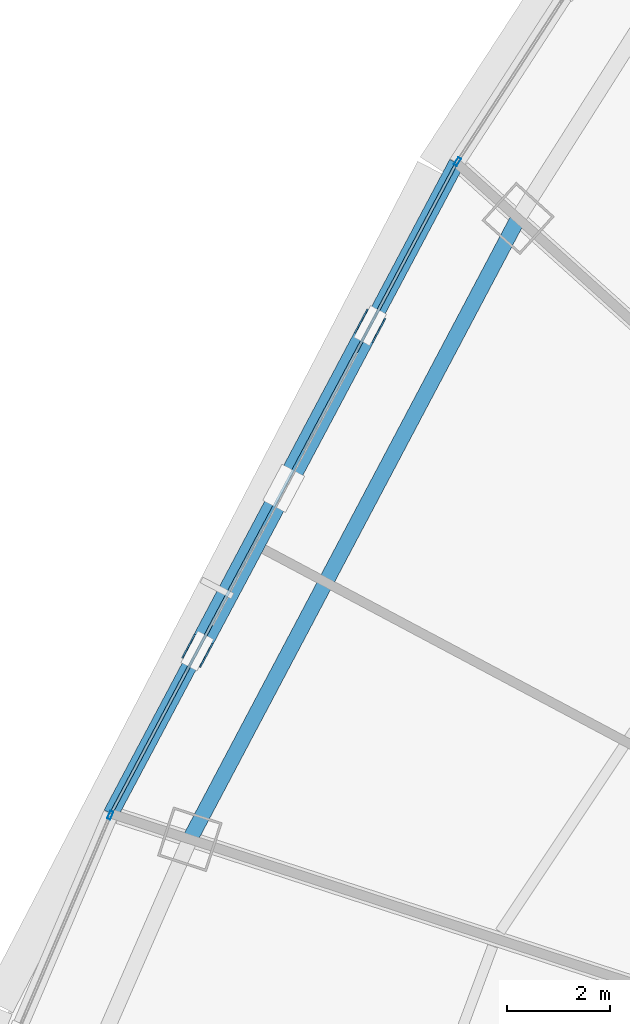
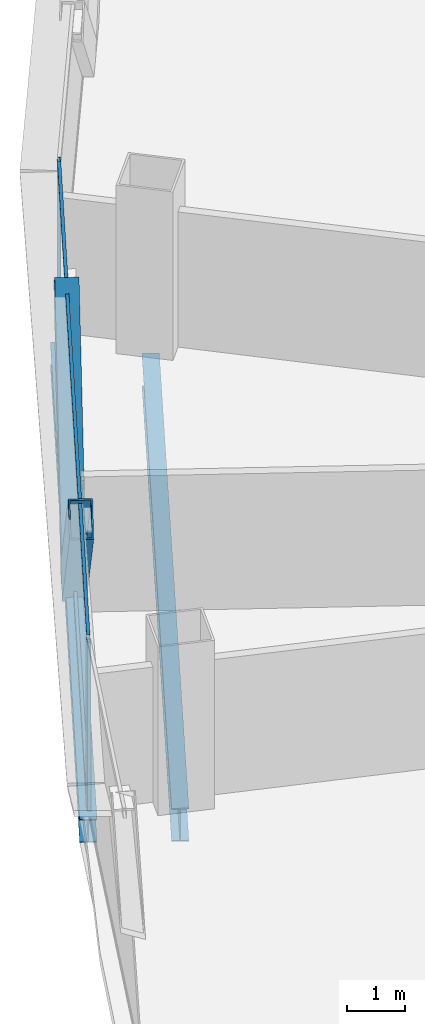
# One storey, part 14 of 36: 6 members, 2 beams, 3 elements without a shape of their own.
"""IFC4 building model written with IfcOpenShell, lengths in metres."""

from ifc_helpers import new_model, si_unit, direction, frame, origin, origin_2d, place, context, subcontext, project, spatial, hollow_rectangle, i_section, extrude, source, transform, mapped, material, layer, layer_set, material_profile, profile_set, type_object, element, aggregate, save


model = new_model("IFC4")

# Units and contexts
model_context = context("Model", 3, precision=1e-05, world=origin(), true_north=direction((0.0, 1.0)))
body_context = subcontext(model_context, "Body", "Model", "MODEL_VIEW")
ifc_project = project(units=[si_unit("LENGTHUNIT", "METRE"), si_unit("AREAUNIT", "SQUARE_METRE"), si_unit("VOLUMEUNIT", "CUBIC_METRE"), si_unit("PLANEANGLEUNIT", "RADIAN"), si_unit("MASSUNIT", "GRAM", prefix="KILO"), si_unit("THERMODYNAMICTEMPERATUREUNIT", "KELVIN"), si_unit("POWERUNIT", "WATT")], contexts=[model_context])

# Site, building, storey
site_placement = place(None, origin())
site = spatial("IfcSite", under=ifc_project, at=site_placement, CompositionType="ELEMENT")
building_placement = place(site_placement, origin())
building = spatial("IfcBuilding", under=site, at=building_placement, Name="Yunzhuo Pagoda Commons", CompositionType="ELEMENT")
storey_placement = place(building_placement, frame((0.0, 0.0, 103.97998046875)))
storey = spatial("IfcBuildingStorey", under=building, at=storey_placement, Name="L26", CompositionType="ELEMENT", Elevation=103.97998046875)

# Beams
ifc_material_1 = material(Name="Structural steel Q355B", Category="steel")
ifc_material_profile_1 = material_profile(ifc_material_1, i_section(OverallWidth=0.300048828125, OverallDepth=0.699951171875, WebThickness=0.012939453125, FlangeThickness=0.02392578125, at=origin_2d()), Name="Structural steel Q355B")
ifc_profile_set_1 = profile_set([ifc_material_profile_1], Name="Structural steel Q355B")
beam_type_1 = type_object("IfcBeamType", Name="B-RG1 Beam HN 700x300x13x24", PredefinedType="BEAM", material=ifc_profile_set_1)
shared_shape_1 = source(origin(), body_context, "Body", "SweptSolid", [
    extrude(i_section(OverallWidth=0.300048828125, OverallDepth=0.699951171875, WebThickness=0.012939453125, FlangeThickness=0.02392578125, at=origin_2d()), origin(), (0.0, 0.0, 1.0), 13.66748046875),
])
beam_1_placement = place(storey_placement, frame((23.397216796875, 55.852294921875, -0.60986328125), z_axis=(-0.467383716456, -0.88405455804, 0.0), x_axis=(0.88405455804, -0.467383716456, 0.0)))
element("IfcBeam", 1, at=beam_1_placement, inside=storey, type_object=beam_type_1, Name="L26 column-ring beam 10", PredefinedType="BEAM", context=body_context, shape_type="MappedRepresentation", body=[
    mapped(shared_shape_1, transform((0.0, 0.0, 0.0), scale=1.0)),
])
ifc_material_profile_2 = material_profile(ifc_material_1, i_section(OverallWidth=0.300048828125, OverallDepth=0.488037109375, WebThickness=0.010986328125, FlangeThickness=0.01806640625, at=origin_2d()), Name="Structural steel Q355B")
ifc_profile_set_2 = profile_set([ifc_material_profile_2], Name="Structural steel Q355B")
beam_type_2 = type_object("IfcBeamType", Name="B-SP1 Beam HM 488x300x11x18", PredefinedType="BEAM", material=ifc_profile_set_2)
shared_shape_2 = source(origin(), body_context, "Body", "SweptSolid", [
    extrude(i_section(OverallWidth=0.300048828125, OverallDepth=0.488037109375, WebThickness=0.010986328125, FlangeThickness=0.01806640625, at=origin_2d()), origin(), (0.0, 0.0, 1.0), 14.33837890625),
])
beam_2_placement = place(storey_placement, frame((22.198974609375, 56.931640625, -0.50390625), z_axis=(-0.469097542789, -0.883146361228, 0.0), x_axis=(0.883146361228, -0.469097542789, 0.0)))
element("IfcBeam", 2, at=beam_2_placement, inside=storey, type_object=beam_type_2, Name="L26 facade edge spandrel beam F3.2", PredefinedType="BEAM", context=body_context, shape_type="MappedRepresentation", body=[
    mapped(shared_shape_2, transform((0.0, 0.0, 0.0), scale=1.0)),
])

# Members
ifc_material_2 = material(Name="Structural steel Q420B", Category="steel")
ifc_material_profile_3 = material_profile(ifc_material_2, hollow_rectangle(XDim=0.419921875, YDim=0.719970703125, WallThickness=0.028076171875, at=origin_2d()), Name="Structural steel Q420B")
ifc_profile_set_3 = profile_set([ifc_material_profile_3], Name="Structural steel Q420B")
member_type_1 = type_object("IfcMemberType", Name="M-DL1 Brace BOX 720x420x28", PredefinedType="BRACE", material=ifc_profile_set_3)
shared_shape_3 = source(origin(), body_context, "Body", "SweptSolid", [
    extrude(hollow_rectangle(XDim=0.419921875, YDim=0.719970703125, WallThickness=0.028076171875, at=origin_2d()), origin(), (0.0, 0.0, 1.0), 5.22412109375),
])
for number, where, z_axis, x_axis, name in (
    (3, (18.835693359375, 50.60009765625, -0.260009765625), (0.321852576358, 0.605991339864, 0.727451314592), (-0.883164215531, 0.469063927845, 0.0), "L26 facade diamond brace F3.2L"),
    (4, (18.835693359375, 50.60009765625, -0.260009765625), (-0.321852576358, -0.605991339864, 0.727451314592), (0.883164215531, -0.469063927845, 0.0), "L26 facade diamond brace F3.2R"),
):
    element("IfcMember", number, at=place(storey_placement, frame(where, z_axis=z_axis, x_axis=x_axis)), inside=storey, type_object=member_type_1, Name=name, PredefinedType="BRACE", context=body_context, shape_type="MappedRepresentation", body=[
        mapped(shared_shape_3, transform((0.0, 0.0, 0.0), scale=1.0)),
    ])

# Curtain wall, member
ifc_material_3 = material(Name="Anodized aluminium 6063-T6", Category="aluminium")
ifc_layer = layer(ifc_material_3, 0.1650390625)
ifc_layer_set = layer_set([ifc_layer], Name="Anodized aluminium 6063-T6")
curtain_wall_type = type_object("IfcCurtainWallType", Name="CW-LOW Low-Zone Ribbon Curtain Wall", PredefinedType="NOTDEFINED", material=ifc_layer_set)
curtain_wall_1_placement = place(storey_placement, origin())
curtain_wall_1 = element("IfcCurtainWall", 5, at=curtain_wall_1_placement, inside=storey, type_object=curtain_wall_type, Name="L26 curtain wall CW-L26-F3B2", PredefinedType="NOTDEFINED")
ifc_material_profile_4 = material_profile(ifc_material_3, hollow_rectangle(XDim=0.06494140625, YDim=0.1650390625, WallThickness=0.00390625, at=origin_2d()), Name="Anodized aluminium 6063-T6")
ifc_profile_set_4 = profile_set([ifc_material_profile_4], Name="Anodized aluminium 6063-T6")
member_type_2 = type_object("IfcMemberType", Name="CW-LOW-M Mullion RHS 165x65x4", PredefinedType="MULLION", material=ifc_profile_set_4)
shared_shape_4 = source(origin(), body_context, "Body", "SweptSolid", [
    extrude(hollow_rectangle(XDim=0.06494140625, YDim=0.1650390625, WallThickness=0.00390625, at=origin_2d()), origin(), (0.0, 0.0, 1.0), 3.5400390625),
])
member_1_placement = place(storey_placement, frame((22.21630859375, 56.958984375, 0.000244140625), z_axis=(0.0, 0.0, 1.0), x_axis=(0.839039875799, -0.544069928244, 0.0)))
member_1 = element("IfcMember", 6, at=member_1_placement, type_object=member_type_2, Name="CW mullion 2", PredefinedType="MULLION", context=body_context, shape_type="MappedRepresentation", body=[
    mapped(shared_shape_4, transform((0.0, 0.0, 0.0), scale=1.0)),
])
aggregate(curtain_wall_1, [member_1])

curtain_wall_2_placement = place(storey_placement, origin())
curtain_wall_2 = element("IfcCurtainWall", 7, at=curtain_wall_2_placement, inside=storey, type_object=curtain_wall_type, Name="L26 curtain wall CW-L26-F3B4", PredefinedType="NOTDEFINED")
member_2_placement = place(storey_placement, frame((15.4599609375, 44.239013671875, 0.000244140625), z_axis=(0.0, 0.0, 1.0), x_axis=(0.919516302226, -0.39305186673, 0.0)))
member_2 = element("IfcMember", 8, at=member_2_placement, type_object=member_type_2, Name="CW mullion 1", PredefinedType="MULLION", context=body_context, shape_type="MappedRepresentation", body=[
    mapped(shared_shape_4, transform((0.0, 0.0, 0.0), scale=1.0)),
])
aggregate(curtain_wall_2, [member_2])

# Curtain wall, members
curtain_wall_3_placement = place(storey_placement, origin())
curtain_wall_3 = element("IfcCurtainWall", 9, at=curtain_wall_3_placement, inside=storey, type_object=curtain_wall_type, Name="L26 curtain wall CW-L26-F3B3", PredefinedType="NOTDEFINED")
ifc_material_profile_5 = material_profile(ifc_material_3, hollow_rectangle(XDim=0.06005859375, YDim=0.139892578125, WallThickness=0.00341796875, at=origin_2d()), Name="Anodized aluminium 6063-T6")
ifc_profile_set_5 = profile_set([ifc_material_profile_5], Name="Anodized aluminium 6063-T6")
member_type_3 = type_object("IfcMemberType", Name="CW-LOW-T Transom RHS 140x60x3.5", PredefinedType="USERDEFINED", material=ifc_profile_set_5)
shared_shape_5 = source(origin(), body_context, "Body", "SweptSolid", [
    extrude(hollow_rectangle(XDim=0.06005859375, YDim=0.139892578125, WallThickness=0.00341796875, at=origin_2d()), origin(), (0.0, 0.0, 1.0), 14.208251953125),
])
member_3_placement = place(storey_placement, frame((22.168212890625, 56.874267578125, 0.030029296875), z_axis=(-0.469092827222, -0.883148865961, 0.0), x_axis=(0.883148865961, -0.469092827222, 0.0)))
member_3 = element("IfcMember", 10, at=member_3_placement, type_object=member_type_3, Name="CW transom 1.1", ObjectType="TRANSOM", PredefinedType="USERDEFINED", context=body_context, shape_type="MappedRepresentation", body=[
    mapped(shared_shape_5, transform((0.0, 0.0, 0.0), scale=1.0)),
])
member_4_placement = place(storey_placement, frame((22.168212890625, 56.874267578125, 3.510009765625), z_axis=(-0.469092827222, -0.883148865961, 0.0), x_axis=(0.883148865961, -0.469092827222, 0.0)))
member_4 = element("IfcMember", 11, at=member_4_placement, type_object=member_type_3, Name="CW transom 1.2", ObjectType="TRANSOM", PredefinedType="USERDEFINED", context=body_context, shape_type="MappedRepresentation", body=[
    mapped(shared_shape_5, transform((0.0, 0.0, 0.0), scale=1.0)),
])
aggregate(curtain_wall_3, [member_3, member_4])

save(model, "model.ifc")
